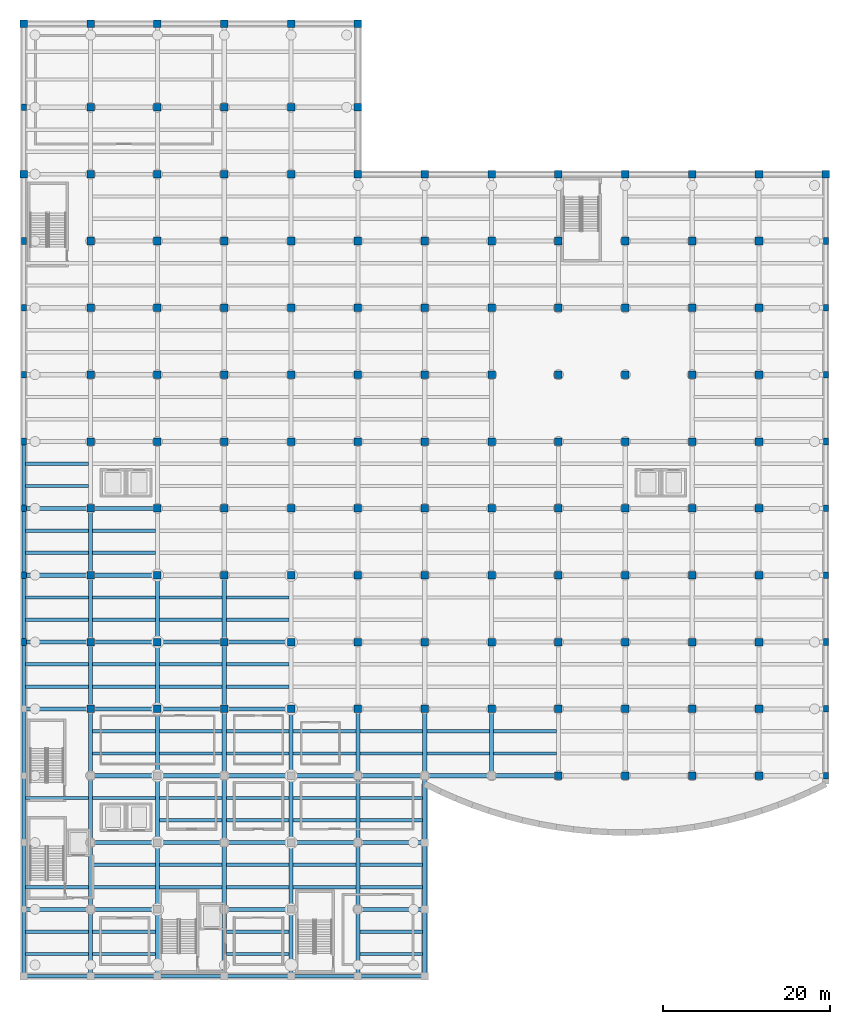
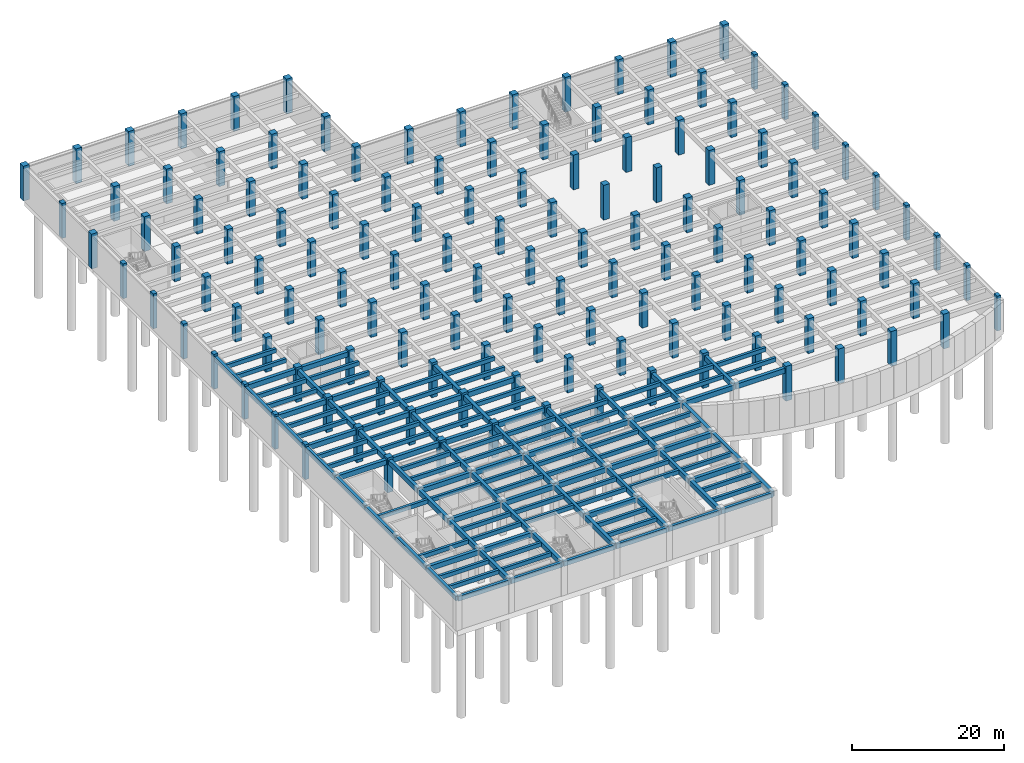
# One storey, part 2 of 18: 139 beams, 133 columns.
"""IFC4 building model written with IfcOpenShell, lengths in metres."""

from ifc_helpers import new_model, si_unit, direction, frame, origin, origin_2d, place, context, subcontext, project, spatial, rectangle, extrude, material, material_profile, profile_set, type_object, element, save


model = new_model("IFC4")

# Units and contexts
model_context = context("Model", 3, precision=1e-05, world=origin(), true_north=direction((0.0, 1.0)))
body_context = subcontext(model_context, "Body", "Model", "MODEL_VIEW")
ifc_project = project(units=[si_unit("LENGTHUNIT", "METRE"), si_unit("AREAUNIT", "SQUARE_METRE"), si_unit("VOLUMEUNIT", "CUBIC_METRE"), si_unit("PLANEANGLEUNIT", "RADIAN"), si_unit("MASSUNIT", "GRAM", prefix="KILO")], contexts=[model_context])

# Site, building, storey
site_placement = place(None, origin())
site = spatial("IfcSite", under=ifc_project, at=site_placement, CompositionType="ELEMENT")
building_placement = place(site_placement, origin())
building = spatial("IfcBuilding", under=site, at=building_placement, Name="Drelvath Fold Interchange", CompositionType="ELEMENT")
storey_placement = place(building_placement, frame((0.0, 0.0, -11.199951171875)))
storey = spatial("IfcBuildingStorey", under=building, at=storey_placement, Name="B2", CompositionType="ELEMENT", Elevation=-11.199951171875)

# Columns
ifc_material_1 = material(Name="Concrete f'c 55 MPa (8000 psi)", Category="concrete")
ifc_material_profile_1 = material_profile(ifc_material_1, rectangle(XDim=0.60009765625, YDim=0.800048828125, at=origin_2d()), Name="RC 600x800")
ifc_profile_set_1 = profile_set([ifc_material_profile_1], Name="Concrete f'c 55 MPa (8000 psi)")
column_type_1 = type_object("IfcColumnType", Name="COL-RC600", PredefinedType="PILASTER", material=ifc_profile_set_1)
for number, where, z_axis, x_axis, name in (
    (1, (4.0, 43.0, 0.0), (0.0, 0.0, 1.0), (1.0, 0.0, 0.0), "B2 column (4,43)"),
    (2, (4.0, 51.0, 0.0), (0.0, 0.0, 1.0), (1.0, 0.0, 0.0), "B2 column (4,51)"),
    (3, (4.0, 59.0, 0.0), (0.0, 0.0, 1.0), (1.0, 0.0, 0.0), "B2 column (4,59)"),
    (4, (4.0, 67.0, 0.0), (0.0, 0.0, 1.0), (1.0, 0.0, 0.0), "B2 column (4,67)"),
    (5, (4.0, 75.0, 0.0), (0.0, 0.0, 1.0), (1.0, 0.0, 0.0), "B2 column (4,75)"),
    (6, (4.0, 83.0, 0.0), (0.0, 0.0, 1.0), (1.0, 0.0, 0.0), "B2 column (4,83)"),
    (7, (4.0, 91.0, 0.0), (0.0, 0.0, 1.0), (1.0, 0.0, 0.0), "B2 column (4,91)"),
    (8, (4.0, 107.0, 0.0), (0.0, 0.0, 1.0), (1.0, 0.0, 0.0), "B2 column (4,107)"),
    (9, (100.0, 27.0, 0.0), (0.0, 0.0, 1.0), (1.0, 0.0, 0.0), "B2 column (100,27)"),
    (10, (100.0, 35.0, 0.0), (0.0, 0.0, 1.0), (1.0, 0.0, 0.0), "B2 column (100,35)"),
    (11, (100.0, 43.0, 0.0), (0.0, 0.0, 1.0), (1.0, 0.0, 0.0), "B2 column (100,43)"),
    (12, (100.0, 51.0, 0.0), (0.0, 0.0, 1.0), (1.0, 0.0, 0.0), "B2 column (100,51)"),
    (13, (100.0, 59.0, 0.0), (0.0, 0.0, 1.0), (1.0, 0.0, 0.0), "B2 column (100,59)"),
    (14, (100.0, 67.0, 0.0), (0.0, 0.0, 1.0), (1.0, 0.0, 0.0), "B2 column (100,67)"),
    (15, (100.0, 75.0, 0.0), (0.0, 0.0, 1.0), (1.0, 0.0, 0.0), "B2 column (100,75)"),
    (16, (100.0, 83.0, 0.0), (0.0, 0.0, 1.0), (1.0, 0.0, 0.0), "B2 column (100,83)"),
    (17, (100.0, 91.0, 0.0), (0.0, 0.0, 1.0), (1.0, 0.0, 0.0), "B2 column (100,91)"),
):
    element("IfcColumn", number, at=place(storey_placement, frame(where, z_axis=z_axis, x_axis=x_axis)), inside=storey, type_object=column_type_1, Name=name, PredefinedType="PILASTER", context=body_context, shape_type="SweptSolid", body=[
        extrude(rectangle(XDim=0.60009765625, YDim=0.800048828125, at=origin_2d()), origin(), (0.0, 0.0, 1.0), 5.599853515625),
    ])
ifc_material_profile_2 = material_profile(ifc_material_1, rectangle(XDim=0.89990234375, YDim=0.89990234375, at=origin_2d()), Name="RC 900x900")
ifc_profile_set_2 = profile_set([ifc_material_profile_2], Name="Concrete f'c 55 MPa (8000 psi)")
column_type_2 = type_object("IfcColumnType", Name="COL-RC900", PredefinedType="COLUMN", material=ifc_profile_set_2)
for number, where, z_axis, x_axis, name in (
    (18, (4.0, 99.0, 0.0), (0.0, 0.0, 1.0), (1.0, 0.0, 0.0), "B2 column (4,99)"),
    (19, (4.0, 117.0, 0.0), (0.0, 0.0, 1.0), (1.0, 0.0, 0.0), "B2 column (4,117)"),
    (20, (12.0, 35.0, 0.0), (0.0, 0.0, 1.0), (1.0, 0.0, 0.0), "B2 column (12,35)"),
    (21, (12.0, 43.0, 0.0), (0.0, 0.0, 1.0), (1.0, 0.0, 0.0), "B2 column (12,43)"),
    (22, (12.0, 51.0, 0.0), (0.0, 0.0, 1.0), (1.0, 0.0, 0.0), "B2 column (12,51)"),
    (23, (12.0, 59.0, 0.0), (0.0, 0.0, 1.0), (1.0, 0.0, 0.0), "B2 column (12,59)"),
    (24, (12.0, 67.0, 0.0), (0.0, 0.0, 1.0), (1.0, 0.0, 0.0), "B2 column (12,67)"),
    (25, (12.0, 75.0, 0.0), (0.0, 0.0, 1.0), (1.0, 0.0, 0.0), "B2 column (12,75)"),
    (26, (12.0, 83.0, 0.0), (0.0, 0.0, 1.0), (1.0, 0.0, 0.0), "B2 column (12,83)"),
    (27, (12.0, 91.0, 0.0), (0.0, 0.0, 1.0), (1.0, 0.0, 0.0), "B2 column (12,91)"),
    (28, (12.0, 99.0, 0.0), (0.0, 0.0, 1.0), (1.0, 0.0, 0.0), "B2 column (12,99)"),
    (29, (12.0, 107.0, 0.0), (0.0, 0.0, 1.0), (1.0, 0.0, 0.0), "B2 column (12,107)"),
    (30, (12.0, 117.0, 0.0), (0.0, 0.0, 1.0), (1.0, 0.0, 0.0), "B2 column (12,117)"),
    (31, (20.0, 35.0, 0.0), (0.0, 0.0, 1.0), (1.0, 0.0, 0.0), "B2 column (20,35)"),
    (32, (20.0, 43.0, 0.0), (0.0, 0.0, 1.0), (1.0, 0.0, 0.0), "B2 column (20,43)"),
    (33, (20.0, 51.0, 0.0), (0.0, 0.0, 1.0), (1.0, 0.0, 0.0), "B2 column (20,51)"),
    (34, (20.0, 59.0, 0.0), (0.0, 0.0, 1.0), (1.0, 0.0, 0.0), "B2 column (20,59)"),
    (35, (20.0, 67.0, 0.0), (0.0, 0.0, 1.0), (1.0, 0.0, 0.0), "B2 column (20,67)"),
    (36, (20.0, 75.0, 0.0), (0.0, 0.0, 1.0), (1.0, 0.0, 0.0), "B2 column (20,75)"),
    (37, (20.0, 83.0, 0.0), (0.0, 0.0, 1.0), (1.0, 0.0, 0.0), "B2 column (20,83)"),
    (38, (20.0, 91.0, 0.0), (0.0, 0.0, 1.0), (1.0, 0.0, 0.0), "B2 column (20,91)"),
    (39, (20.0, 99.0, 0.0), (0.0, 0.0, 1.0), (1.0, 0.0, 0.0), "B2 column (20,99)"),
    (40, (20.0, 107.0, 0.0), (0.0, 0.0, 1.0), (1.0, 0.0, 0.0), "B2 column (20,107)"),
    (41, (20.0, 117.0, 0.0), (0.0, 0.0, 1.0), (1.0, 0.0, 0.0), "B2 column (20,117)"),
    (42, (28.0, 35.0, 0.0), (0.0, 0.0, 1.0), (1.0, 0.0, 0.0), "B2 column (28,35)"),
    (43, (28.0, 43.0, 0.0), (0.0, 0.0, 1.0), (1.0, 0.0, 0.0), "B2 column (28,43)"),
    (44, (28.0, 51.0, 0.0), (0.0, 0.0, 1.0), (1.0, 0.0, 0.0), "B2 column (28,51)"),
    (45, (28.0, 59.0, 0.0), (0.0, 0.0, 1.0), (1.0, 0.0, 0.0), "B2 column (28,59)"),
    (46, (28.0, 67.0, 0.0), (0.0, 0.0, 1.0), (1.0, 0.0, 0.0), "B2 column (28,67)"),
    (47, (28.0, 75.0, 0.0), (0.0, 0.0, 1.0), (1.0, 0.0, 0.0), "B2 column (28,75)"),
    (48, (28.0, 83.0, 0.0), (0.0, 0.0, 1.0), (1.0, 0.0, 0.0), "B2 column (28,83)"),
    (49, (28.0, 91.0, 0.0), (0.0, 0.0, 1.0), (1.0, 0.0, 0.0), "B2 column (28,91)"),
    (50, (28.0, 99.0, 0.0), (0.0, 0.0, 1.0), (1.0, 0.0, 0.0), "B2 column (28,99)"),
    (51, (28.0, 107.0, 0.0), (0.0, 0.0, 1.0), (1.0, 0.0, 0.0), "B2 column (28,107)"),
    (52, (28.0, 117.0, 0.0), (0.0, 0.0, 1.0), (1.0, 0.0, 0.0), "B2 column (28,117)"),
    (53, (36.0, 35.0, 0.0), (0.0, 0.0, 1.0), (1.0, 0.0, 0.0), "B2 column (36,35)"),
    (54, (36.0, 43.0, 0.0), (0.0, 0.0, 1.0), (1.0, 0.0, 0.0), "B2 column (36,43)"),
    (55, (36.0, 51.0, 0.0), (0.0, 0.0, 1.0), (1.0, 0.0, 0.0), "B2 column (36,51)"),
    (56, (36.0, 59.0, 0.0), (0.0, 0.0, 1.0), (1.0, 0.0, 0.0), "B2 column (36,59)"),
    (57, (36.0, 67.0, 0.0), (0.0, 0.0, 1.0), (1.0, 0.0, 0.0), "B2 column (36,67)"),
    (58, (36.0, 75.0, 0.0), (0.0, 0.0, 1.0), (1.0, 0.0, 0.0), "B2 column (36,75)"),
    (59, (36.0, 83.0, 0.0), (0.0, 0.0, 1.0), (1.0, 0.0, 0.0), "B2 column (36,83)"),
    (60, (36.0, 91.0, 0.0), (0.0, 0.0, 1.0), (1.0, 0.0, 0.0), "B2 column (36,91)"),
    (61, (36.0, 99.0, 0.0), (0.0, 0.0, 1.0), (1.0, 0.0, 0.0), "B2 column (36,99)"),
    (62, (36.0, 107.0, 0.0), (0.0, 0.0, 1.0), (1.0, 0.0, 0.0), "B2 column (36,107)"),
    (63, (36.0, 117.0, 0.0), (0.0, 0.0, 1.0), (1.0, 0.0, 0.0), "B2 column (36,117)"),
    (64, (44.0, 35.0, 0.0), (0.0, 0.0, 1.0), (1.0, 0.0, 0.0), "B2 column (44,35)"),
    (65, (44.0, 43.0, 0.0), (0.0, 0.0, 1.0), (1.0, 0.0, 0.0), "B2 column (44,43)"),
    (66, (44.0, 51.0, 0.0), (0.0, 0.0, 1.0), (1.0, 0.0, 0.0), "B2 column (44,51)"),
    (67, (44.0, 59.0, 0.0), (0.0, 0.0, 1.0), (1.0, 0.0, 0.0), "B2 column (44,59)"),
    (68, (44.0, 67.0, 0.0), (0.0, 0.0, 1.0), (1.0, 0.0, 0.0), "B2 column (44,67)"),
    (69, (44.0, 75.0, 0.0), (0.0, 0.0, 1.0), (1.0, 0.0, 0.0), "B2 column (44,75)"),
    (70, (44.0, 83.0, 0.0), (0.0, 0.0, 1.0), (1.0, 0.0, 0.0), "B2 column (44,83)"),
    (71, (44.0, 91.0, 0.0), (0.0, 0.0, 1.0), (1.0, 0.0, 0.0), "B2 column (44,91)"),
    (72, (44.0, 99.0, 0.0), (0.0, 0.0, 1.0), (1.0, 0.0, 0.0), "B2 column (44,99)"),
    (73, (44.0, 107.0, 0.0), (0.0, 0.0, 1.0), (1.0, 0.0, 0.0), "B2 column (44,107)"),
    (74, (44.0, 117.0, 0.0), (0.0, 0.0, 1.0), (1.0, 0.0, 0.0), "B2 column (44,117)"),
    (75, (52.0, 35.0, 0.0), (0.0, 0.0, 1.0), (1.0, 0.0, 0.0), "B2 column (52,35)"),
    (76, (52.0, 43.0, 0.0), (0.0, 0.0, 1.0), (1.0, 0.0, 0.0), "B2 column (52,43)"),
    (77, (52.0, 51.0, 0.0), (0.0, 0.0, 1.0), (1.0, 0.0, 0.0), "B2 column (52,51)"),
    (78, (52.0, 59.0, 0.0), (0.0, 0.0, 1.0), (1.0, 0.0, 0.0), "B2 column (52,59)"),
    (79, (52.0, 67.0, 0.0), (0.0, 0.0, 1.0), (1.0, 0.0, 0.0), "B2 column (52,67)"),
    (80, (52.0, 75.0, 0.0), (0.0, 0.0, 1.0), (1.0, 0.0, 0.0), "B2 column (52,75)"),
    (81, (52.0, 83.0, 0.0), (0.0, 0.0, 1.0), (1.0, 0.0, 0.0), "B2 column (52,83)"),
    (82, (52.0, 91.0, 0.0), (0.0, 0.0, 1.0), (1.0, 0.0, 0.0), "B2 column (52,91)"),
    (83, (52.0, 99.0, 0.0), (0.0, 0.0, 1.0), (1.0, 0.0, 0.0), "B2 column (52,99)"),
    (84, (60.0, 35.0, 0.0), (0.0, 0.0, 1.0), (1.0, 0.0, 0.0), "B2 column (60,35)"),
    (85, (60.0, 43.0, 0.0), (0.0, 0.0, 1.0), (1.0, 0.0, 0.0), "B2 column (60,43)"),
    (86, (60.0, 51.0, 0.0), (0.0, 0.0, 1.0), (1.0, 0.0, 0.0), "B2 column (60,51)"),
    (87, (60.0, 59.0, 0.0), (0.0, 0.0, 1.0), (1.0, 0.0, 0.0), "B2 column (60,59)"),
    (88, (60.0, 67.0, 0.0), (0.0, 0.0, 1.0), (1.0, 0.0, 0.0), "B2 column (60,67)"),
    (89, (60.0, 75.0, 0.0), (0.0, 0.0, 1.0), (1.0, 0.0, 0.0), "B2 column (60,75)"),
    (90, (60.0, 83.0, 0.0), (0.0, 0.0, 1.0), (1.0, 0.0, 0.0), "B2 column (60,83)"),
    (91, (60.0, 91.0, 0.0), (0.0, 0.0, 1.0), (1.0, 0.0, 0.0), "B2 column (60,91)"),
    (92, (60.0, 99.0, 0.0), (0.0, 0.0, 1.0), (1.0, 0.0, 0.0), "B2 column (60,99)"),
    (93, (68.0, 27.0, 0.0), (0.0, 0.0, 1.0), (1.0, 0.0, 0.0), "B2 column (68,27)"),
    (94, (68.0, 35.0, 0.0), (0.0, 0.0, 1.0), (1.0, 0.0, 0.0), "B2 column (68,35)"),
    (95, (68.0, 43.0, 0.0), (0.0, 0.0, 1.0), (1.0, 0.0, 0.0), "B2 column (68,43)"),
    (96, (68.0, 51.0, 0.0), (0.0, 0.0, 1.0), (1.0, 0.0, 0.0), "B2 column (68,51)"),
    (97, (68.0, 59.0, 0.0), (0.0, 0.0, 1.0), (1.0, 0.0, 0.0), "B2 column (68,59)"),
    (98, (68.0, 67.0, 0.0), (0.0, 0.0, 1.0), (1.0, 0.0, 0.0), "B2 column (68,67)"),
    (99, (68.0, 75.0, 0.0), (0.0, 0.0, 1.0), (1.0, 0.0, 0.0), "B2 column (68,75)"),
    (100, (68.0, 83.0, 0.0), (0.0, 0.0, 1.0), (1.0, 0.0, 0.0), "B2 column (68,83)"),
    (101, (68.0, 91.0, 0.0), (0.0, 0.0, 1.0), (1.0, 0.0, 0.0), "B2 column (68,91)"),
    (102, (68.0, 99.0, 0.0), (0.0, 0.0, 1.0), (1.0, 0.0, 0.0), "B2 column (68,99)"),
    (103, (76.0, 27.0, 0.0), (0.0, 0.0, 1.0), (1.0, 0.0, 0.0), "B2 column (76,27)"),
    (104, (76.0, 35.0, 0.0), (0.0, 0.0, 1.0), (1.0, 0.0, 0.0), "B2 column (76,35)"),
    (105, (76.0, 43.0, 0.0), (0.0, 0.0, 1.0), (1.0, 0.0, 0.0), "B2 column (76,43)"),
    (106, (76.0, 51.0, 0.0), (0.0, 0.0, 1.0), (1.0, 0.0, 0.0), "B2 column (76,51)"),
    (107, (76.0, 59.0, 0.0), (0.0, 0.0, 1.0), (1.0, 0.0, 0.0), "B2 column (76,59)"),
    (108, (76.0, 67.0, 0.0), (0.0, 0.0, 1.0), (1.0, 0.0, 0.0), "B2 column (76,67)"),
    (109, (76.0, 75.0, 0.0), (0.0, 0.0, 1.0), (1.0, 0.0, 0.0), "B2 column (76,75)"),
    (110, (76.0, 83.0, 0.0), (0.0, 0.0, 1.0), (1.0, 0.0, 0.0), "B2 column (76,83)"),
    (111, (76.0, 91.0, 0.0), (0.0, 0.0, 1.0), (1.0, 0.0, 0.0), "B2 column (76,91)"),
    (112, (76.0, 99.0, 0.0), (0.0, 0.0, 1.0), (1.0, 0.0, 0.0), "B2 column (76,99)"),
    (113, (84.0, 27.0, 0.0), (0.0, 0.0, 1.0), (1.0, 0.0, 0.0), "B2 column (84,27)"),
    (114, (84.0, 35.0, 0.0), (0.0, 0.0, 1.0), (1.0, 0.0, 0.0), "B2 column (84,35)"),
    (115, (84.0, 43.0, 0.0), (0.0, 0.0, 1.0), (1.0, 0.0, 0.0), "B2 column (84,43)"),
    (116, (84.0, 51.0, 0.0), (0.0, 0.0, 1.0), (1.0, 0.0, 0.0), "B2 column (84,51)"),
    (117, (84.0, 59.0, 0.0), (0.0, 0.0, 1.0), (1.0, 0.0, 0.0), "B2 column (84,59)"),
    (118, (84.0, 67.0, 0.0), (0.0, 0.0, 1.0), (1.0, 0.0, 0.0), "B2 column (84,67)"),
    (119, (84.0, 75.0, 0.0), (0.0, 0.0, 1.0), (1.0, 0.0, 0.0), "B2 column (84,75)"),
    (120, (84.0, 83.0, 0.0), (0.0, 0.0, 1.0), (1.0, 0.0, 0.0), "B2 column (84,83)"),
    (121, (84.0, 91.0, 0.0), (0.0, 0.0, 1.0), (1.0, 0.0, 0.0), "B2 column (84,91)"),
    (122, (84.0, 99.0, 0.0), (0.0, 0.0, 1.0), (1.0, 0.0, 0.0), "B2 column (84,99)"),
    (123, (92.0, 27.0, 0.0), (0.0, 0.0, 1.0), (1.0, 0.0, 0.0), "B2 column (92,27)"),
    (124, (92.0, 35.0, 0.0), (0.0, 0.0, 1.0), (1.0, 0.0, 0.0), "B2 column (92,35)"),
    (125, (92.0, 43.0, 0.0), (0.0, 0.0, 1.0), (1.0, 0.0, 0.0), "B2 column (92,43)"),
    (126, (92.0, 51.0, 0.0), (0.0, 0.0, 1.0), (1.0, 0.0, 0.0), "B2 column (92,51)"),
    (127, (92.0, 59.0, 0.0), (0.0, 0.0, 1.0), (1.0, 0.0, 0.0), "B2 column (92,59)"),
    (128, (92.0, 67.0, 0.0), (0.0, 0.0, 1.0), (1.0, 0.0, 0.0), "B2 column (92,67)"),
    (129, (92.0, 75.0, 0.0), (0.0, 0.0, 1.0), (1.0, 0.0, 0.0), "B2 column (92,75)"),
    (130, (92.0, 83.0, 0.0), (0.0, 0.0, 1.0), (1.0, 0.0, 0.0), "B2 column (92,83)"),
    (131, (92.0, 91.0, 0.0), (0.0, 0.0, 1.0), (1.0, 0.0, 0.0), "B2 column (92,91)"),
    (132, (92.0, 99.0, 0.0), (0.0, 0.0, 1.0), (1.0, 0.0, 0.0), "B2 column (92,99)"),
    (133, (100.0, 99.0, 0.0), (0.0, 0.0, 1.0), (1.0, 0.0, 0.0), "B2 column (100,99)"),
):
    element("IfcColumn", number, at=place(storey_placement, frame(where, z_axis=z_axis, x_axis=x_axis)), inside=storey, type_object=column_type_2, Name=name, PredefinedType="COLUMN", context=body_context, shape_type="SweptSolid", body=[
        extrude(rectangle(XDim=0.89990234375, YDim=0.89990234375, at=origin_2d()), origin(), (0.0, 0.0, 1.0), 5.599853515625),
    ])

# Beams
ifc_material_2 = material(Name="Concrete f'c 45 MPa (6500 psi)", Category="concrete")
ifc_material_profile_3 = material_profile(ifc_material_2, rectangle(XDim=0.39990234375, YDim=0.64990234375, at=origin_2d()), Name="RC 400x650")
ifc_profile_set_3 = profile_set([ifc_material_profile_3], Name="Concrete f'c 45 MPa (6500 psi)")
beam_type_1 = type_object("IfcBeamType", Name="BM-RC400", PredefinedType="JOIST", material=ifc_profile_set_3)
for number, where, z_axis, x_axis, name in (
    (134, (4.222900390625, 5.6669921875, 4.9150390625), (1.0, 0.0, 0.0), (0.0, 1.0, 0.0), "B2 Secondary floor joist BM-RC400"),
    (135, (4.222900390625, 8.3330078125, 4.9150390625), (1.0, 0.0, 0.0), (0.0, 1.0, 0.0), "B2 Secondary floor joist BM-RC400"),
    (136, (4.222900390625, 13.6669921875, 4.9150390625), (1.0, 0.0, 0.0), (0.0, 1.0, 0.0), "B2 Secondary floor joist BM-RC400"),
    (137, (4.222900390625, 24.3330078125, 4.9150390625), (1.0, 0.0, 0.0), (0.0, 1.0, 0.0), "B2 Secondary floor joist BM-RC400"),
    (138, (4.222900390625, 37.6669921875, 4.9150390625), (1.0, 0.0, 0.0), (0.0, 1.0, 0.0), "B2 Secondary floor joist BM-RC400"),
    (139, (4.222900390625, 40.3330078125, 4.9150390625), (1.0, 0.0, 0.0), (0.0, 1.0, 0.0), "B2 Secondary floor joist BM-RC400"),
    (140, (4.222900390625, 45.6669921875, 4.9150390625), (1.0, 0.0, 0.0), (0.0, 1.0, 0.0), "B2 Secondary floor joist BM-RC400"),
    (141, (4.222900390625, 48.3330078125, 4.9150390625), (1.0, 0.0, 0.0), (0.0, 1.0, 0.0), "B2 Secondary floor joist BM-RC400"),
    (142, (4.222900390625, 53.6669921875, 4.9150390625), (1.0, 0.0, 0.0), (0.0, 1.0, 0.0), "B2 Secondary floor joist BM-RC400"),
    (143, (4.222900390625, 56.3330078125, 4.9150390625), (1.0, 0.0, 0.0), (0.0, 1.0, 0.0), "B2 Secondary floor joist BM-RC400"),
    (144, (4.222900390625, 61.6669921875, 4.9150390625), (1.0, 0.0, 0.0), (0.0, 1.0, 0.0), "B2 Secondary floor joist BM-RC400"),
    (145, (4.222900390625, 64.3330078125, 4.9150390625), (1.0, 0.0, 0.0), (0.0, 1.0, 0.0), "B2 Secondary floor joist BM-RC400"),
):
    element("IfcBeam", number, at=place(storey_placement, frame(where, z_axis=z_axis, x_axis=x_axis)), inside=storey, type_object=beam_type_1, Name=name, PredefinedType="JOIST", context=body_context, shape_type="SweptSolid", body=[
        extrude(rectangle(XDim=0.39990234375, YDim=0.64990234375, at=origin_2d()), origin(), (0.0, 0.0, 1.0), 7.529052734375),
    ])
for number, where, z_axis, x_axis, name in (
    (146, (12.248046875, 5.6669921875, 4.9150390625), (1.0, 0.0, 0.0), (0.0, 1.0, 0.0), "B2 Secondary floor joist BM-RC400"),
    (147, (12.248046875, 8.3330078125, 4.9150390625), (1.0, 0.0, 0.0), (0.0, 1.0, 0.0), "B2 Secondary floor joist BM-RC400"),
    (148, (12.248046875, 13.6669921875, 4.9150390625), (1.0, 0.0, 0.0), (0.0, 1.0, 0.0), "B2 Secondary floor joist BM-RC400"),
    (149, (12.248046875, 16.3330078125, 4.9150390625), (1.0, 0.0, 0.0), (0.0, 1.0, 0.0), "B2 Secondary floor joist BM-RC400"),
    (150, (12.248046875, 24.3330078125, 4.9150390625), (1.0, 0.0, 0.0), (0.0, 1.0, 0.0), "B2 Secondary floor joist BM-RC400"),
    (151, (12.248046875, 29.6669921875, 4.9150390625), (1.0, 0.0, 0.0), (0.0, 1.0, 0.0), "B2 Secondary floor joist BM-RC400"),
    (152, (12.248046875, 32.3330078125, 4.9150390625), (1.0, 0.0, 0.0), (0.0, 1.0, 0.0), "B2 Secondary floor joist BM-RC400"),
    (153, (12.248046875, 37.6669921875, 4.9150390625), (1.0, 0.0, 0.0), (0.0, 1.0, 0.0), "B2 Secondary floor joist BM-RC400"),
    (154, (12.248046875, 40.3330078125, 4.9150390625), (1.0, 0.0, 0.0), (0.0, 1.0, 0.0), "B2 Secondary floor joist BM-RC400"),
    (155, (12.248046875, 45.6669921875, 4.9150390625), (1.0, 0.0, 0.0), (0.0, 1.0, 0.0), "B2 Secondary floor joist BM-RC400"),
    (156, (12.248046875, 48.3330078125, 4.9150390625), (1.0, 0.0, 0.0), (0.0, 1.0, 0.0), "B2 Secondary floor joist BM-RC400"),
    (157, (12.248046875, 53.6669921875, 4.9150390625), (1.0, 0.0, 0.0), (0.0, 1.0, 0.0), "B2 Secondary floor joist BM-RC400"),
    (158, (12.248046875, 56.3330078125, 4.9150390625), (1.0, 0.0, 0.0), (0.0, 1.0, 0.0), "B2 Secondary floor joist BM-RC400"),
    (159, (20.248046875, 13.6669921875, 4.9150390625), (1.0, 0.0, 0.0), (0.0, 1.0, 0.0), "B2 Secondary floor joist BM-RC400"),
    (160, (20.248046875, 16.3330078125, 4.9150390625), (1.0, 0.0, 0.0), (0.0, 1.0, 0.0), "B2 Secondary floor joist BM-RC400"),
    (161, (20.248046875, 21.6669921875, 4.9150390625), (1.0, 0.0, 0.0), (0.0, 1.0, 0.0), "B2 Secondary floor joist BM-RC400"),
    (162, (20.248046875, 24.3330078125, 4.9150390625), (1.0, 0.0, 0.0), (0.0, 1.0, 0.0), "B2 Secondary floor joist BM-RC400"),
    (163, (20.248046875, 29.6669921875, 4.9150390625), (1.0, 0.0, 0.0), (0.0, 1.0, 0.0), "B2 Secondary floor joist BM-RC400"),
    (164, (20.248046875, 32.3330078125, 4.9150390625), (1.0, 0.0, 0.0), (0.0, 1.0, 0.0), "B2 Secondary floor joist BM-RC400"),
    (165, (20.248046875, 37.6669921875, 4.9150390625), (1.0, 0.0, 0.0), (0.0, 1.0, 0.0), "B2 Secondary floor joist BM-RC400"),
    (166, (20.248046875, 40.3330078125, 4.9150390625), (1.0, 0.0, 0.0), (0.0, 1.0, 0.0), "B2 Secondary floor joist BM-RC400"),
    (167, (20.248046875, 45.6669921875, 4.9150390625), (1.0, 0.0, 0.0), (0.0, 1.0, 0.0), "B2 Secondary floor joist BM-RC400"),
    (168, (20.248046875, 48.3330078125, 4.9150390625), (1.0, 0.0, 0.0), (0.0, 1.0, 0.0), "B2 Secondary floor joist BM-RC400"),
    (169, (28.248046875, 5.6669921875, 4.9150390625), (1.0, 0.0, 0.0), (0.0, 1.0, 0.0), "B2 Secondary floor joist BM-RC400"),
    (170, (28.248046875, 8.3330078125, 4.9150390625), (1.0, 0.0, 0.0), (0.0, 1.0, 0.0), "B2 Secondary floor joist BM-RC400"),
    (171, (28.248046875, 13.6669921875, 4.9150390625), (1.0, 0.0, 0.0), (0.0, 1.0, 0.0), "B2 Secondary floor joist BM-RC400"),
    (172, (28.248046875, 16.3330078125, 4.9150390625), (1.0, 0.0, 0.0), (0.0, 1.0, 0.0), "B2 Secondary floor joist BM-RC400"),
    (173, (28.248046875, 21.6669921875, 4.9150390625), (1.0, 0.0, 0.0), (0.0, 1.0, 0.0), "B2 Secondary floor joist BM-RC400"),
    (174, (28.248046875, 24.3330078125, 4.9150390625), (1.0, 0.0, 0.0), (0.0, 1.0, 0.0), "B2 Secondary floor joist BM-RC400"),
    (175, (28.248046875, 29.6669921875, 4.9150390625), (1.0, 0.0, 0.0), (0.0, 1.0, 0.0), "B2 Secondary floor joist BM-RC400"),
    (176, (28.248046875, 32.3330078125, 4.9150390625), (1.0, 0.0, 0.0), (0.0, 1.0, 0.0), "B2 Secondary floor joist BM-RC400"),
    (177, (28.248046875, 37.6669921875, 4.9150390625), (1.0, 0.0, 0.0), (0.0, 1.0, 0.0), "B2 Secondary floor joist BM-RC400"),
    (178, (28.248046875, 40.3330078125, 4.9150390625), (1.0, 0.0, 0.0), (0.0, 1.0, 0.0), "B2 Secondary floor joist BM-RC400"),
    (179, (28.248046875, 45.6669921875, 4.9150390625), (1.0, 0.0, 0.0), (0.0, 1.0, 0.0), "B2 Secondary floor joist BM-RC400"),
    (180, (28.248046875, 48.3330078125, 4.9150390625), (1.0, 0.0, 0.0), (0.0, 1.0, 0.0), "B2 Secondary floor joist BM-RC400"),
    (181, (36.248046875, 13.6669921875, 4.9150390625), (1.0, 0.0, 0.0), (0.0, 1.0, 0.0), "B2 Secondary floor joist BM-RC400"),
    (182, (36.248046875, 16.3330078125, 4.9150390625), (1.0, 0.0, 0.0), (0.0, 1.0, 0.0), "B2 Secondary floor joist BM-RC400"),
    (183, (36.248046875, 21.6669921875, 4.9150390625), (1.0, 0.0, 0.0), (0.0, 1.0, 0.0), "B2 Secondary floor joist BM-RC400"),
    (184, (36.248046875, 24.3330078125, 4.9150390625), (1.0, 0.0, 0.0), (0.0, 1.0, 0.0), "B2 Secondary floor joist BM-RC400"),
    (185, (36.248046875, 29.6669921875, 4.9150390625), (1.0, 0.0, 0.0), (0.0, 1.0, 0.0), "B2 Secondary floor joist BM-RC400"),
    (186, (36.248046875, 32.3330078125, 4.9150390625), (1.0, 0.0, 0.0), (0.0, 1.0, 0.0), "B2 Secondary floor joist BM-RC400"),
    (187, (44.248046875, 5.6669921875, 4.9150390625), (1.0, 0.0, 0.0), (0.0, 1.0, 0.0), "B2 Secondary floor joist BM-RC400"),
    (188, (44.248046875, 8.3330078125, 4.9150390625), (1.0, 0.0, 0.0), (0.0, 1.0, 0.0), "B2 Secondary floor joist BM-RC400"),
    (189, (44.248046875, 13.6669921875, 4.9150390625), (1.0, 0.0, 0.0), (0.0, 1.0, 0.0), "B2 Secondary floor joist BM-RC400"),
    (190, (44.248046875, 16.3330078125, 4.9150390625), (1.0, 0.0, 0.0), (0.0, 1.0, 0.0), "B2 Secondary floor joist BM-RC400"),
    (191, (44.248046875, 21.6669921875, 4.9150390625), (1.0, 0.0, 0.0), (0.0, 1.0, 0.0), "B2 Secondary floor joist BM-RC400"),
    (192, (44.248046875, 24.3330078125, 4.9150390625), (1.0, 0.0, 0.0), (0.0, 1.0, 0.0), "B2 Secondary floor joist BM-RC400"),
    (193, (44.248046875, 29.6669921875, 4.9150390625), (1.0, 0.0, 0.0), (0.0, 1.0, 0.0), "B2 Secondary floor joist BM-RC400"),
    (194, (44.248046875, 32.3330078125, 4.9150390625), (1.0, 0.0, 0.0), (0.0, 1.0, 0.0), "B2 Secondary floor joist BM-RC400"),
    (195, (52.248046875, 29.6669921875, 4.89501953125), (1.0, 0.0, 0.0), (0.0, 1.0, 0.0), "B2 Secondary floor joist BM-RC400"),
    (196, (52.248046875, 32.3330078125, 4.89501953125), (1.0, 0.0, 0.0), (0.0, 1.0, 0.0), "B2 Secondary floor joist BM-RC400"),
    (197, (60.248046875, 29.6669921875, 4.89501953125), (1.0, 0.0, 0.0), (0.0, 1.0, 0.0), "B2 Secondary floor joist BM-RC400"),
    (198, (60.248046875, 32.3330078125, 4.89501953125), (1.0, 0.0, 0.0), (0.0, 1.0, 0.0), "B2 Secondary floor joist BM-RC400"),
):
    element("IfcBeam", number, at=place(storey_placement, frame(where, z_axis=z_axis, x_axis=x_axis)), inside=storey, type_object=beam_type_1, Name=name, PredefinedType="JOIST", context=body_context, shape_type="SweptSolid", body=[
        extrude(rectangle(XDim=0.39990234375, YDim=0.64990234375, at=origin_2d()), origin(), (0.0, 0.0, 1.0), 7.50390625),
    ])
ifc_material_profile_4 = material_profile(ifc_material_2, rectangle(XDim=0.449951171875, YDim=0.75, at=origin_2d()), Name="RC 450x750")
ifc_profile_set_4 = profile_set([ifc_material_profile_4], Name="Concrete f'c 45 MPa (6500 psi)")
beam_type_2 = type_object("IfcBeamType", Name="BM-RC450", PredefinedType="SPANDREL", material=ifc_profile_set_4)
for number, where, z_axis, x_axis, name in (
    (199, (4.06005859375, 3.0, 4.864990234375), (1.0, 0.0, 0.0), (0.0, 1.0, 0.0), "B2 Primary X girder BM-RC450"),
    (200, (12.06005859375, 3.0, 4.864990234375), (1.0, 0.0, 0.0), (0.0, 1.0, 0.0), "B2 Primary X girder BM-RC450"),
    (201, (20.06005859375, 3.0, 4.864990234375), (1.0, 0.0, 0.0), (0.0, 1.0, 0.0), "B2 Primary X girder BM-RC450"),
    (202, (28.06005859375, 3.0, 4.864990234375), (1.0, 0.0, 0.0), (0.0, 1.0, 0.0), "B2 Primary X girder BM-RC450"),
    (203, (36.06005859375, 3.0, 4.864990234375), (1.0, 0.0, 0.0), (0.0, 1.0, 0.0), "B2 Primary X girder BM-RC450"),
    (204, (44.06005859375, 3.0, 4.864990234375), (1.0, 0.0, 0.0), (0.0, 1.0, 0.0), "B2 Primary X girder BM-RC450"),
    (205, (4.0, 3.06005859375, 4.864990234375), (0.0, 1.0, 0.0), (-1.0, 0.0, 0.0), "B2 Primary Y girder BM-RC450"),
    (206, (4.0, 11.06005859375, 4.864990234375), (0.0, 1.0, 0.0), (-1.0, 0.0, 0.0), "B2 Primary Y girder BM-RC450"),
    (207, (4.0, 19.06005859375, 4.864990234375), (0.0, 1.0, 0.0), (-1.0, 0.0, 0.0), "B2 Primary Y girder BM-RC450"),
    (208, (4.0, 27.06005859375, 4.864990234375), (0.0, 1.0, 0.0), (-1.0, 0.0, 0.0), "B2 Primary Y girder BM-RC450"),
    (209, (4.0, 35.06005859375, 4.864990234375), (0.0, 1.0, 0.0), (-1.0, 0.0, 0.0), "B2 Primary Y girder BM-RC450"),
    (210, (4.0, 43.06005859375, 4.864990234375), (0.0, 1.0, 0.0), (-1.0, 0.0, 0.0), "B2 Primary Y girder BM-RC450"),
    (211, (4.0, 51.06005859375, 4.864990234375), (0.0, 1.0, 0.0), (-1.0, 0.0, 0.0), "B2 Primary Y girder BM-RC450"),
    (212, (4.0, 59.06005859375, 4.864990234375), (0.0, 1.0, 0.0), (-1.0, 0.0, 0.0), "B2 Primary Y girder BM-RC450"),
):
    element("IfcBeam", number, at=place(storey_placement, frame(where, z_axis=z_axis, x_axis=x_axis)), inside=storey, type_object=beam_type_2, Name=name, PredefinedType="SPANDREL", context=body_context, shape_type="SweptSolid", body=[
        extrude(rectangle(XDim=0.449951171875, YDim=0.75, at=origin_2d()), origin(), (0.0, 0.0, 1.0), 7.8798828125),
    ])
ifc_material_profile_5 = material_profile(ifc_material_2, rectangle(XDim=0.5, YDim=0.800048828125, at=origin_2d()), Name="RC 500x800")
ifc_profile_set_5 = profile_set([ifc_material_profile_5], Name="Concrete f'c 45 MPa (6500 psi)")
beam_type_3 = type_object("IfcBeamType", Name="BM-RC500", PredefinedType="BEAM", material=ifc_profile_set_5)
for number, where, z_axis, x_axis, name in (
    (213, (4.06005859375, 11.0, 4.83984375), (1.0, 0.0, 0.0), (0.0, 1.0, 0.0), "B2 Primary X girder BM-RC500"),
    (214, (12.06005859375, 11.0, 4.83984375), (1.0, 0.0, 0.0), (0.0, 1.0, 0.0), "B2 Primary X girder BM-RC500"),
    (215, (28.06005859375, 11.0, 4.83984375), (1.0, 0.0, 0.0), (0.0, 1.0, 0.0), "B2 Primary X girder BM-RC500"),
    (216, (44.06005859375, 11.0, 4.83984375), (1.0, 0.0, 0.0), (0.0, 1.0, 0.0), "B2 Primary X girder BM-RC500"),
    (217, (12.06005859375, 19.0, 4.83984375), (1.0, 0.0, 0.0), (0.0, 1.0, 0.0), "B2 Primary X girder BM-RC500"),
    (218, (20.06005859375, 19.0, 4.83984375), (1.0, 0.0, 0.0), (0.0, 1.0, 0.0), "B2 Primary X girder BM-RC500"),
    (219, (28.06005859375, 19.0, 4.83984375), (1.0, 0.0, 0.0), (0.0, 1.0, 0.0), "B2 Primary X girder BM-RC500"),
    (220, (36.06005859375, 19.0, 4.83984375), (1.0, 0.0, 0.0), (0.0, 1.0, 0.0), "B2 Primary X girder BM-RC500"),
    (221, (44.06005859375, 19.0, 4.83984375), (1.0, 0.0, 0.0), (0.0, 1.0, 0.0), "B2 Primary X girder BM-RC500"),
    (222, (12.06005859375, 27.0, 4.83984375), (1.0, 0.0, 0.0), (0.0, 1.0, 0.0), "B2 Primary X girder BM-RC500"),
    (223, (20.06005859375, 27.0, 4.83984375), (1.0, 0.0, 0.0), (0.0, 1.0, 0.0), "B2 Primary X girder BM-RC500"),
    (224, (28.06005859375, 27.0, 4.83984375), (1.0, 0.0, 0.0), (0.0, 1.0, 0.0), "B2 Primary X girder BM-RC500"),
    (225, (36.06005859375, 27.0, 4.83984375), (1.0, 0.0, 0.0), (0.0, 1.0, 0.0), "B2 Primary X girder BM-RC500"),
    (226, (44.06005859375, 27.0, 4.820068359375), (1.0, 0.0, 0.0), (0.0, 1.0, 0.0), "B2 Primary X girder BM-RC500"),
    (227, (52.06005859375, 27.0, 4.820068359375), (1.0, 0.0, 0.0), (0.0, 1.0, 0.0), "B2 Primary X girder BM-RC500"),
    (228, (60.06005859375, 27.0, 4.820068359375), (1.0, 0.0, 0.0), (0.0, 1.0, 0.0), "B2 Primary X girder BM-RC500"),
    (229, (4.06005859375, 35.0, 4.83984375), (1.0, 0.0, 0.0), (0.0, 1.0, 0.0), "B2 Primary X girder BM-RC500"),
    (230, (12.06005859375, 35.0, 4.83984375), (1.0, 0.0, 0.0), (0.0, 1.0, 0.0), "B2 Primary X girder BM-RC500"),
    (231, (20.06005859375, 35.0, 4.83984375), (1.0, 0.0, 0.0), (0.0, 1.0, 0.0), "B2 Primary X girder BM-RC500"),
    (232, (28.06005859375, 35.0, 4.83984375), (1.0, 0.0, 0.0), (0.0, 1.0, 0.0), "B2 Primary X girder BM-RC500"),
    (233, (4.06005859375, 43.0, 4.83984375), (1.0, 0.0, 0.0), (0.0, 1.0, 0.0), "B2 Primary X girder BM-RC500"),
    (234, (12.06005859375, 43.0, 4.83984375), (1.0, 0.0, 0.0), (0.0, 1.0, 0.0), "B2 Primary X girder BM-RC500"),
    (235, (20.06005859375, 43.0, 4.83984375), (1.0, 0.0, 0.0), (0.0, 1.0, 0.0), "B2 Primary X girder BM-RC500"),
    (236, (28.06005859375, 43.0, 4.83984375), (1.0, 0.0, 0.0), (0.0, 1.0, 0.0), "B2 Primary X girder BM-RC500"),
    (237, (4.06005859375, 51.0, 4.83984375), (1.0, 0.0, 0.0), (0.0, 1.0, 0.0), "B2 Primary X girder BM-RC500"),
    (238, (12.06005859375, 51.0, 4.83984375), (1.0, 0.0, 0.0), (0.0, 1.0, 0.0), "B2 Primary X girder BM-RC500"),
    (239, (4.06005859375, 59.0, 4.83984375), (1.0, 0.0, 0.0), (0.0, 1.0, 0.0), "B2 Primary X girder BM-RC500"),
    (240, (12.06005859375, 59.0, 4.83984375), (1.0, 0.0, 0.0), (0.0, 1.0, 0.0), "B2 Primary X girder BM-RC500"),
    (241, (12.0, 3.06005859375, 4.83984375), (0.0, 1.0, 0.0), (-1.0, 0.0, 0.0), "B2 Primary Y girder BM-RC500"),
    (242, (12.0, 11.06005859375, 4.83984375), (0.0, 1.0, 0.0), (-1.0, 0.0, 0.0), "B2 Primary Y girder BM-RC500"),
    (243, (12.0, 19.06005859375, 4.83984375), (0.0, 1.0, 0.0), (-1.0, 0.0, 0.0), "B2 Primary Y girder BM-RC500"),
    (244, (12.0, 27.06005859375, 4.83984375), (0.0, 1.0, 0.0), (-1.0, 0.0, 0.0), "B2 Primary Y girder BM-RC500"),
    (245, (12.0, 35.06005859375, 4.83984375), (0.0, 1.0, 0.0), (-1.0, 0.0, 0.0), "B2 Primary Y girder BM-RC500"),
    (246, (12.0, 43.06005859375, 4.83984375), (0.0, 1.0, 0.0), (-1.0, 0.0, 0.0), "B2 Primary Y girder BM-RC500"),
    (247, (12.0, 51.06005859375, 4.83984375), (0.0, 1.0, 0.0), (-1.0, 0.0, 0.0), "B2 Primary Y girder BM-RC500"),
    (248, (20.0, 3.06005859375, 4.83984375), (0.0, 1.0, 0.0), (-1.0, 0.0, 0.0), "B2 Primary Y girder BM-RC500"),
    (249, (20.0, 11.06005859375, 4.83984375), (0.0, 1.0, 0.0), (-1.0, 0.0, 0.0), "B2 Primary Y girder BM-RC500"),
    (250, (20.0, 19.06005859375, 4.83984375), (0.0, 1.0, 0.0), (-1.0, 0.0, 0.0), "B2 Primary Y girder BM-RC500"),
    (251, (20.0, 27.06005859375, 4.83984375), (0.0, 1.0, 0.0), (-1.0, 0.0, 0.0), "B2 Primary Y girder BM-RC500"),
    (252, (20.0, 35.06005859375, 4.83984375), (0.0, 1.0, 0.0), (-1.0, 0.0, 0.0), "B2 Primary Y girder BM-RC500"),
    (253, (20.0, 43.06005859375, 4.83984375), (0.0, 1.0, 0.0), (-1.0, 0.0, 0.0), "B2 Primary Y girder BM-RC500"),
    (254, (28.0, 3.06005859375, 4.83984375), (0.0, 1.0, 0.0), (-1.0, 0.0, 0.0), "B2 Primary Y girder BM-RC500"),
    (255, (28.0, 11.06005859375, 4.83984375), (0.0, 1.0, 0.0), (-1.0, 0.0, 0.0), "B2 Primary Y girder BM-RC500"),
    (256, (28.0, 19.06005859375, 4.83984375), (0.0, 1.0, 0.0), (-1.0, 0.0, 0.0), "B2 Primary Y girder BM-RC500"),
    (257, (28.0, 27.06005859375, 4.83984375), (0.0, 1.0, 0.0), (-1.0, 0.0, 0.0), "B2 Primary Y girder BM-RC500"),
    (258, (28.0, 35.06005859375, 4.83984375), (0.0, 1.0, 0.0), (-1.0, 0.0, 0.0), "B2 Primary Y girder BM-RC500"),
    (259, (28.0, 43.06005859375, 4.83984375), (0.0, 1.0, 0.0), (-1.0, 0.0, 0.0), "B2 Primary Y girder BM-RC500"),
    (260, (36.0, 3.06005859375, 4.83984375), (0.0, 1.0, 0.0), (-1.0, 0.0, 0.0), "B2 Primary Y girder BM-RC500"),
    (261, (36.0, 11.06005859375, 4.83984375), (0.0, 1.0, 0.0), (-1.0, 0.0, 0.0), "B2 Primary Y girder BM-RC500"),
    (262, (36.0, 19.06005859375, 4.83984375), (0.0, 1.0, 0.0), (-1.0, 0.0, 0.0), "B2 Primary Y girder BM-RC500"),
    (263, (36.0, 27.06005859375, 4.83984375), (0.0, 1.0, 0.0), (-1.0, 0.0, 0.0), "B2 Primary Y girder BM-RC500"),
    (264, (44.0, 3.06005859375, 4.83984375), (0.0, 1.0, 0.0), (-1.0, 0.0, 0.0), "B2 Primary Y girder BM-RC500"),
    (265, (44.0, 11.06005859375, 4.83984375), (0.0, 1.0, 0.0), (-1.0, 0.0, 0.0), "B2 Primary Y girder BM-RC500"),
    (266, (44.0, 19.06005859375, 4.83984375), (0.0, 1.0, 0.0), (-1.0, 0.0, 0.0), "B2 Primary Y girder BM-RC500"),
    (267, (44.0, 27.06005859375, 4.83984375), (0.0, 1.0, 0.0), (-1.0, 0.0, 0.0), "B2 Primary Y girder BM-RC500"),
    (268, (52.0, 3.06005859375, 4.83984375), (0.0, 1.0, 0.0), (-1.0, 0.0, 0.0), "B2 Primary Y girder BM-RC500"),
    (269, (52.0, 11.06005859375, 4.83984375), (0.0, 1.0, 0.0), (-1.0, 0.0, 0.0), "B2 Primary Y girder BM-RC500"),
    (270, (52.0, 19.06005859375, 4.820068359375), (0.0, 1.0, 0.0), (-1.0, 0.0, 0.0), "B2 Primary Y girder BM-RC500"),
    (271, (52.0, 27.06005859375, 4.820068359375), (0.0, 1.0, 0.0), (-1.0, 0.0, 0.0), "B2 Primary Y girder BM-RC500"),
    (272, (60.0, 27.06005859375, 4.820068359375), (0.0, 1.0, 0.0), (-1.0, 0.0, 0.0), "B2 Primary Y girder BM-RC500"),
):
    element("IfcBeam", number, at=place(storey_placement, frame(where, z_axis=z_axis, x_axis=x_axis)), inside=storey, type_object=beam_type_3, Name=name, PredefinedType="BEAM", context=body_context, shape_type="SweptSolid", body=[
        extrude(rectangle(XDim=0.5, YDim=0.800048828125, at=origin_2d()), origin(), (0.0, 0.0, 1.0), 7.8798828125),
    ])

save(model, "model.ifc")
